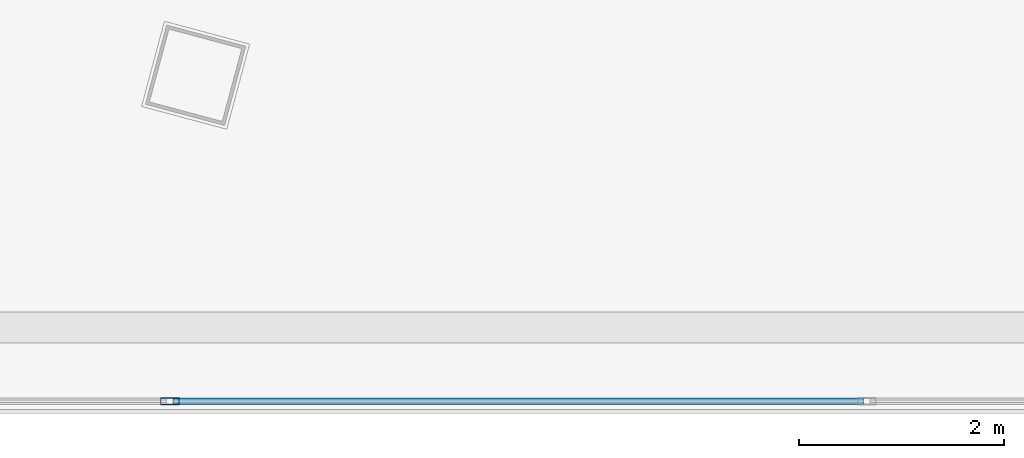
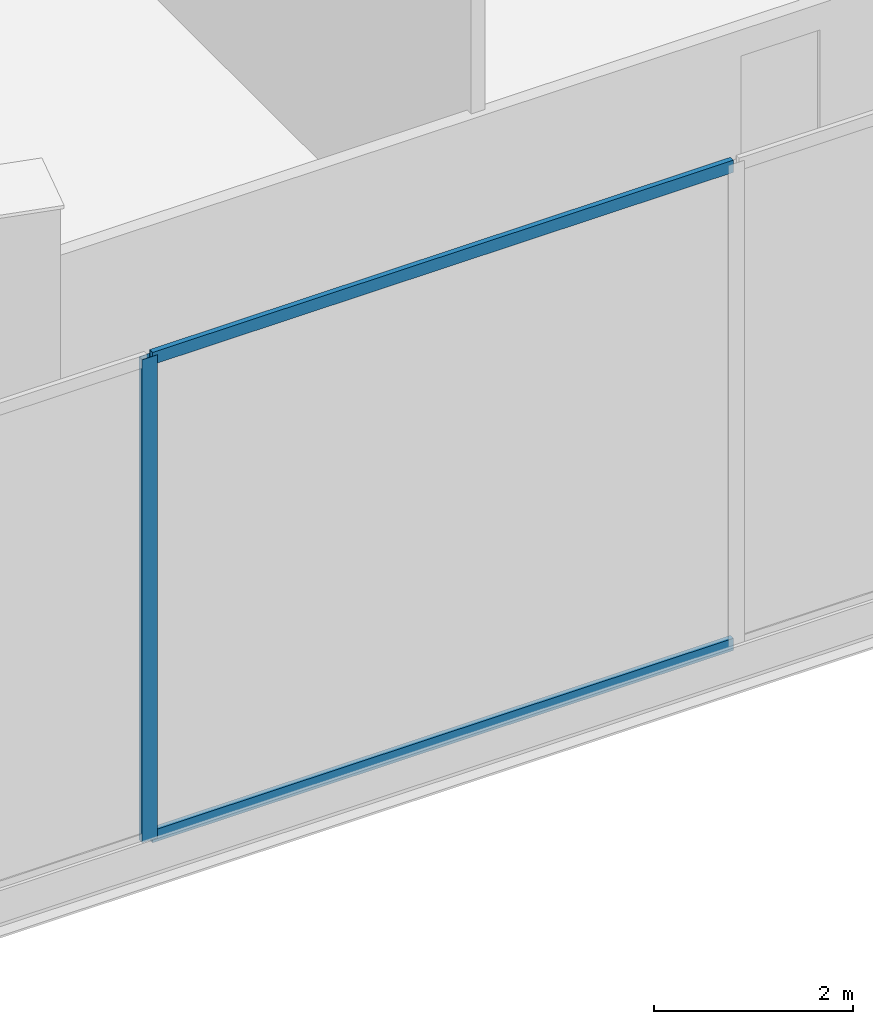
# One storey, part 7 of 41: 3 members, 1 element without a shape of its own.
"""IFC4 building model written with IfcOpenShell, lengths in metres."""

import ifcopenshell
import ifcopenshell.guid

model = None  # the IFC model being written
_history = None  # IfcOwnerHistory: only IFC2X3 demands one
_inside = {}  # id of a spatial element -> (the spatial element, [elements in it])
_under = {}  # id of a project, library or spatial element -> (it, [spatial elements below it])
_declared = {}  # id of a project -> (the project, [libraries it declares])
_typed = {}  # id of a type object -> (the type object, [elements of that type])
_made_of = {}  # id of a material, layer set ... -> (it, [elements and type objects made of it])


def new_model(schema):
    """Start an empty IFC model of exactly this schema.

    Asked for "IFC4X3", IfcOpenShell would pick the latest addendum, in which some entities
    have other attributes; the version numbers below select the first issue.
    IFC2X3 requires an IfcOwnerHistory on every rooted entity: one is made here for all.
    """
    global model, _history
    if schema == "IFC4X3":
        model = ifcopenshell.file(schema_version=(4, 3, 0, 0))
    else:
        model = ifcopenshell.file(schema=schema)
    _inside.clear()
    _under.clear()
    _declared.clear()
    _typed.clear()
    _made_of.clear()
    _history = None
    if model.schema == "IFC2X3":
        org = make("IfcOrganization", Name="unknown")
        user = make(
            "IfcPersonAndOrganization",
            ThePerson=make("IfcPerson", FamilyName="unknown"),
            TheOrganization=org,
        )
        app = make(
            "IfcApplication",
            ApplicationDeveloper=org,
            Version="unknown",
            ApplicationFullName="unknown",
            ApplicationIdentifier="unknown",
        )
        _history = make(
            "IfcOwnerHistory",
            OwningUser=user,
            OwningApplication=app,
            ChangeAction="ADDED",
            CreationDate=0,
        )
    return model


def make(cls, **values):
    """One entity of the class cls with the attributes given. An attribute that is None is left unset."""
    return model.create_entity(
        cls, **{name: value for name, value in values.items() if value is not None}
    )


def rooted(cls, **values):
    """An entity with a GlobalId (a new one), such as an element, a storey or a relation."""
    return make(cls, GlobalId=ifcopenshell.guid.new(), OwnerHistory=_history, **values)


def si_unit(unit_type, name, prefix=None):
    """IfcSIUnit, for example si_unit("LENGTHUNIT", "METRE", prefix="MILLI")."""
    return make("IfcSIUnit", UnitType=unit_type, Prefix=prefix, Name=name)


def assignment(units):
    """IfcUnitAssignment: the units of a project."""
    return None if units is None else make("IfcUnitAssignment", Units=units)


def point(xyz):
    """IfcCartesianPoint."""
    return None if xyz is None else make("IfcCartesianPoint", Coordinates=xyz)


def direction(xyz):
    """IfcDirection."""
    return None if xyz is None else make("IfcDirection", DirectionRatios=xyz)


def frame(location, z_axis=None, x_axis=None):
    """IfcAxis2Placement3D, a coordinate frame: its origin and axes. An axis left out is left unset."""
    return make(
        "IfcAxis2Placement3D",
        Location=point(location),
        Axis=direction(z_axis),
        RefDirection=direction(x_axis),
    )


def frame_2d(location, x_axis=None):
    """IfcAxis2Placement2D, a coordinate frame in the plane: its origin and x axis."""
    return make(
        "IfcAxis2Placement2D", Location=point(location), RefDirection=direction(x_axis)
    )


def origin():
    """The frame at (0, 0, 0) with its axes left unset."""
    return frame((0.0, 0.0, 0.0))


def origin_2d():
    """The frame at (0, 0) in the plane with its x axis left unset."""
    return frame_2d((0.0, 0.0))


def place(relative_to, where):
    """IfcLocalPlacement: puts the frame where relative to a parent placement (None: the world)."""
    return make(
        "IfcLocalPlacement", PlacementRelTo=relative_to, RelativePlacement=where
    )


def context(
    kind, dimensions, precision=None, world=None, true_north=None, identifier=None
):
    """IfcGeometricRepresentationContext, for example the 3D "Model" context."""
    return make(
        "IfcGeometricRepresentationContext",
        ContextIdentifier=identifier,
        ContextType=kind,
        CoordinateSpaceDimension=dimensions,
        Precision=precision,
        WorldCoordinateSystem=world,
        TrueNorth=true_north,
    )


def subcontext(parent, identifier, kind, view, scale=None):
    """IfcGeometricRepresentationSubContext, for example "Body" below "Model"."""
    return make(
        "IfcGeometricRepresentationSubContext",
        ContextIdentifier=identifier,
        ContextType=kind,
        ParentContext=parent,
        TargetScale=scale,
        TargetView=view,
    )


def project(units=None, contexts=None):
    """IfcProject with its units and contexts."""
    return rooted(
        "IfcProject",
        Name="project",
        RepresentationContexts=contexts,
        UnitsInContext=assignment(units),
    )


def spatial(cls, under=None, at=None, **own):
    """A site, building, storey or space (cls), placed at a placement, below another one or the project."""
    s = rooted(cls, ObjectPlacement=at, **own)
    if under is not None:
        _under.setdefault(under.id(), (under, []))[1].append(s)
    return s


def profile(cls, at=None, kind="AREA", **sizes):
    """A parametric profile (cls). Its sizes go by their IFC names, for example OverallWidth=200.0."""
    return make(cls, ProfileType=kind, Position=at, **sizes)


def hollow_rectangle(**sizes):
    """IfcRectangleHollowProfileDef."""
    return profile("IfcRectangleHollowProfileDef", **sizes)


def extrude(swept, where, along, depth):
    """IfcExtrudedAreaSolid: the profile swept, set in the frame where, extruded along a direction by depth."""
    return make(
        "IfcExtrudedAreaSolid",
        SweptArea=swept,
        Position=where,
        ExtrudedDirection=direction(along),
        Depth=depth,
    )


def shape(context_of_items, identifier, shape_type, items):
    """IfcShapeRepresentation: the items that make up one representation, for example the "Body"."""
    return make(
        "IfcShapeRepresentation",
        ContextOfItems=context_of_items,
        RepresentationIdentifier=identifier,
        RepresentationType=shape_type,
        Items=items,
    )


def source(mapping_origin, context_of_items, identifier, shape_type, items):
    """IfcRepresentationMap: a shape defined once, which mapped items show again and again."""
    return make(
        "IfcRepresentationMap",
        MappingOrigin=mapping_origin,
        MappedRepresentation=shape(context_of_items, identifier, shape_type, items),
    )


def transform(
    local_origin,
    x_axis=None,
    y_axis=None,
    z_axis=None,
    scale=None,
    scale2=None,
    scale3=None,
    uniform=True,
):
    """IfcCartesianTransformationOperator3D, or its non-uniform kind. x_axis, y_axis, z_axis: its Axis1, 2, 3."""
    if uniform:
        return make(
            "IfcCartesianTransformationOperator3D",
            Axis1=direction(x_axis),
            Axis2=direction(y_axis),
            LocalOrigin=point(local_origin),
            Scale=scale,
            Axis3=direction(z_axis),
        )
    return make(
        "IfcCartesianTransformationOperator3DnonUniform",
        Axis1=direction(x_axis),
        Axis2=direction(y_axis),
        LocalOrigin=point(local_origin),
        Scale=scale,
        Axis3=direction(z_axis),
        Scale2=scale2,
        Scale3=scale3,
    )


def mapped(mapping_source, mapping_target):
    """IfcMappedItem: shows the shape of a source again, moved by a transform."""
    return make(
        "IfcMappedItem", MappingSource=mapping_source, MappingTarget=mapping_target
    )


def material(Name=None, Category=None):
    """IfcMaterial."""
    return make("IfcMaterial", Name=Name, Category=Category)


def layer(
    of_material, thickness, ventilated=None, Name=None, Category=None, Priority=None
):
    """IfcMaterialLayer: one layer of a wall or slab, of a material (None: an air gap)."""
    return make(
        "IfcMaterialLayer",
        Material=of_material,
        LayerThickness=thickness,
        IsVentilated=ventilated,
        Name=Name,
        Category=Category,
        Priority=Priority,
    )


def layer_set(layers, Name=None):
    """IfcMaterialLayerSet."""
    return make("IfcMaterialLayerSet", MaterialLayers=layers, LayerSetName=Name)


def material_profile(
    of_material, cross_section, Name=None, Category=None, Priority=None
):
    """IfcMaterialProfile: a cross section and its material."""
    return make(
        "IfcMaterialProfile",
        Name=Name,
        Material=of_material,
        Profile=cross_section,
        Priority=Priority,
        Category=Category,
    )


def profile_set(profiles, Name=None, composite=None):
    """IfcMaterialProfileSet."""
    return make(
        "IfcMaterialProfileSet",
        Name=Name,
        MaterialProfiles=profiles,
        CompositeProfile=composite,
    )


def made_of(thing, what):
    """Note that an element or type object is made of a material, layer set ...; save() writes the relation."""
    if what is not None:
        _made_of.setdefault(what.id(), (what, []))[1].append(thing)
    return thing


def type_object(cls, material=None, **own):
    """A type object (cls), such as IfcWallType, which elements share."""
    return made_of(rooted(cls, **own), material)


def element(
    cls,
    number,
    at=None,
    inside=None,
    cuts=None,
    type_object=None,
    material=None,
    context=None,
    identifier="Body",
    shape_type=None,
    held_by="IfcProductDefinitionShape",
    body=None,
    shapes=None,
    **own,
):
    """One element of the class cls, such as IfcWall. Its Tag is "e" and its number.

    at: its placement. inside: the storey or other place that contains it. cuts: it is an
    opening in that element (IfcRelVoidsElement). A single representation is given by context,
    identifier, shape_type and body (its items); several are given by shapes. held_by: the class
    of the entity that holds the representations. save() writes the other relations.
    """
    e = rooted(cls, Tag="e%d" % number, ObjectPlacement=at, **own)
    if body is not None:
        shapes = [shape(context, identifier, shape_type, body)]
    if shapes is not None:
        e.Representation = make(held_by, Representations=shapes)
    if inside is not None:
        _inside.setdefault(inside.id(), (inside, []))[1].append(e)
    if cuts is not None:
        rooted(
            "IfcRelVoidsElement", RelatingBuildingElement=cuts, RelatedOpeningElement=e
        )
    if type_object is not None:
        _typed.setdefault(type_object.id(), (type_object, []))[1].append(e)
    return made_of(e, material)


def aggregate(whole, parts):
    """IfcRelAggregates: a whole, such as a stair, and the parts it consists of."""
    return rooted("IfcRelAggregates", RelatingObject=whole, RelatedObjects=parts)


def save(model, path):
    """Write the relations noted so far, then the file.

    IfcRelAggregates (storeys below a building ...), IfcRelContainedInSpatialStructure (elements
    in a storey), IfcRelDefinesByType, IfcRelAssociatesMaterial and IfcRelDeclares: one each for
    every whole, place, type object, material and project.
    """
    for whole, parts in _under.values():
        aggregate(whole, parts)
    for where, things in _inside.values():
        rooted(
            "IfcRelContainedInSpatialStructure",
            RelatedElements=things,
            RelatingStructure=where,
        )
    for kind, things in _typed.values():
        rooted("IfcRelDefinesByType", RelatedObjects=things, RelatingType=kind)
    for what, things in _made_of.values():
        rooted("IfcRelAssociatesMaterial", RelatedObjects=things, RelatingMaterial=what)
    for by, libraries in _declared.values():
        rooted("IfcRelDeclares", RelatingContext=by, RelatedDefinitions=libraries)
    model.write(path)


model = new_model("IFC4")

# Units and contexts
model_context = context("Model", 3, precision=1e-05, world=origin(), true_north=direction((0.0, 1.0)))
body_context = subcontext(model_context, "Body", "Model", "MODEL_VIEW")
ifc_project = project(units=[si_unit("LENGTHUNIT", "METRE"), si_unit("AREAUNIT", "SQUARE_METRE"), si_unit("VOLUMEUNIT", "CUBIC_METRE"), si_unit("PLANEANGLEUNIT", "RADIAN"), si_unit("MASSUNIT", "GRAM", prefix="KILO"), si_unit("THERMODYNAMICTEMPERATUREUNIT", "KELVIN"), si_unit("POWERUNIT", "WATT")], contexts=[model_context])

# Site, building, storey
site_placement = place(None, origin())
site = spatial("IfcSite", under=ifc_project, at=site_placement, CompositionType="ELEMENT")
building_placement = place(site_placement, origin())
building = spatial("IfcBuilding", under=site, at=building_placement, Name="Yunzhuo Pagoda Commons", CompositionType="ELEMENT")
storey_placement = place(building_placement, frame((0.0, 0.0, 19.199951171875)))
storey = spatial("IfcBuildingStorey", under=building, at=storey_placement, Name="L05", CompositionType="ELEMENT", Elevation=19.199951171875)

# Curtain wall, members
ifc_material = material(Name="Anodized aluminium 6063-T6", Category="aluminium")
ifc_layer = layer(ifc_material, 0.179931640625)
ifc_layer_set = layer_set([ifc_layer], Name="Anodized aluminium 6063-T6")
curtain_wall_type = type_object("IfcCurtainWallType", Name="CW-POD Waterfront Podium Curtain Wall", PredefinedType="NOTDEFINED", material=ifc_layer_set)
curtain_wall_placement = place(storey_placement, origin())
curtain_wall = element("IfcCurtainWall", 1, at=curtain_wall_placement, inside=storey, type_object=curtain_wall_type, Name="L05 curtain wall CW-L05-S3", PredefinedType="NOTDEFINED")
ifc_material_profile_1 = material_profile(ifc_material, hollow_rectangle(XDim=0.06005859375, YDim=0.14990234375, WallThickness=0.00390625, at=origin_2d()), Name="Anodized aluminium 6063-T6")
ifc_profile_set_1 = profile_set([ifc_material_profile_1], Name="Anodized aluminium 6063-T6")
member_type_1 = type_object("IfcMemberType", Name="CW-POD-T Transom RHS 150x60x4", PredefinedType="USERDEFINED", material=ifc_profile_set_1)
shared_shape_1 = source(origin(), body_context, "Body", "SweptSolid", [
    extrude(hollow_rectangle(XDim=0.06005859375, YDim=0.14990234375, WallThickness=0.00390625, at=origin_2d()), origin(), (0.0, 0.0, 1.0), 6.735107421875),
])
member_1_placement = place(storey_placement, frame((41.232421875, 6.080078125, 0.0302734375), z_axis=(1.0, 0.0, 0.0), x_axis=(0.0, 1.0, 0.0)))
member_1 = element("IfcMember", 2, at=member_1_placement, type_object=member_type_1, Name="CW transom 2.1", ObjectType="TRANSOM", PredefinedType="USERDEFINED", context=body_context, shape_type="MappedRepresentation", body=[
    mapped(shared_shape_1, transform((0.0, 0.0, 0.0), scale=1.0)),
])
member_2_placement = place(storey_placement, frame((41.232421875, 6.080078125, 5.89013671875), z_axis=(1.0, 0.0, 0.0), x_axis=(0.0, 1.0, 0.0)))
member_2 = element("IfcMember", 3, at=member_2_placement, type_object=member_type_1, Name="CW transom 2.2", ObjectType="TRANSOM", PredefinedType="USERDEFINED", context=body_context, shape_type="MappedRepresentation", body=[
    mapped(shared_shape_1, transform((0.0, 0.0, 0.0), scale=1.0)),
])
ifc_material_profile_2 = material_profile(ifc_material, hollow_rectangle(XDim=0.06494140625, YDim=0.179931640625, WallThickness=0.00390625, at=origin_2d()), Name="Anodized aluminium 6063-T6")
ifc_profile_set_2 = profile_set([ifc_material_profile_2], Name="Anodized aluminium 6063-T6")
member_type_2 = type_object("IfcMemberType", Name="CW-POD-M Mullion RHS 180x65x4", PredefinedType="MULLION", material=ifc_profile_set_2)
shared_shape_2 = source(origin(), body_context, "Body", "SweptSolid", [
    extrude(hollow_rectangle(XDim=0.06494140625, YDim=0.179931640625, WallThickness=0.00390625, at=origin_2d()), origin(), (0.0, 0.0, 1.0), 5.920166015625),
])
member_3_placement = place(storey_placement, frame((41.199951171875, 6.080078125, 0.0), z_axis=(0.0, 0.0, 1.0), x_axis=(0.0, 1.0, 0.0)))
member_3 = element("IfcMember", 4, at=member_3_placement, type_object=member_type_2, Name="CW mullion 2", PredefinedType="MULLION", context=body_context, shape_type="MappedRepresentation", body=[
    mapped(shared_shape_2, transform((0.0, 0.0, 0.0), scale=1.0)),
])
aggregate(curtain_wall, [member_3, member_1, member_2])

save(model, "model.ifc")
